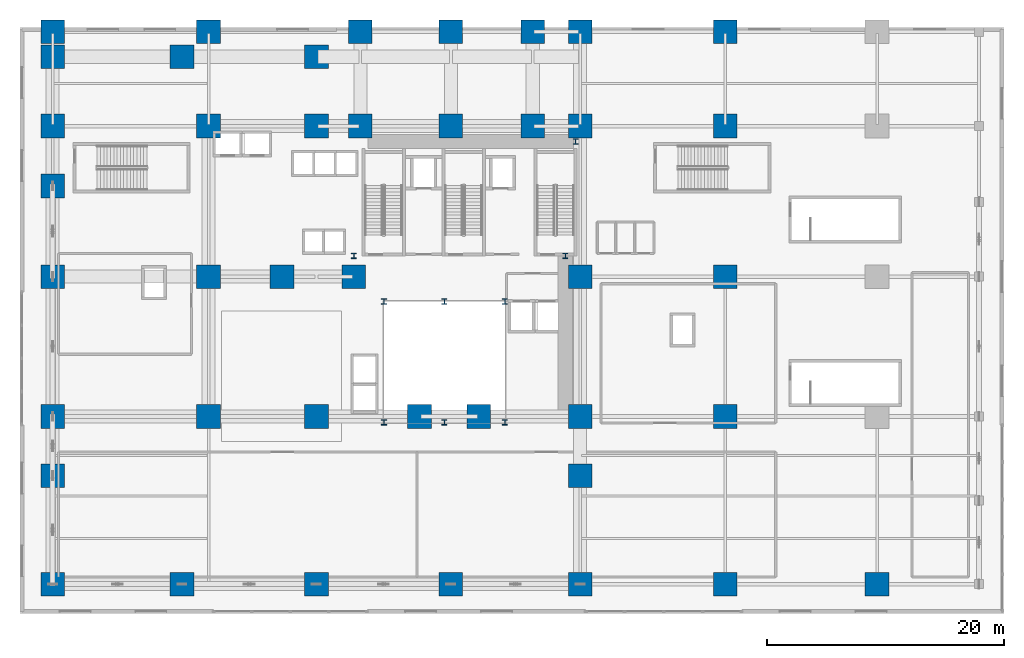
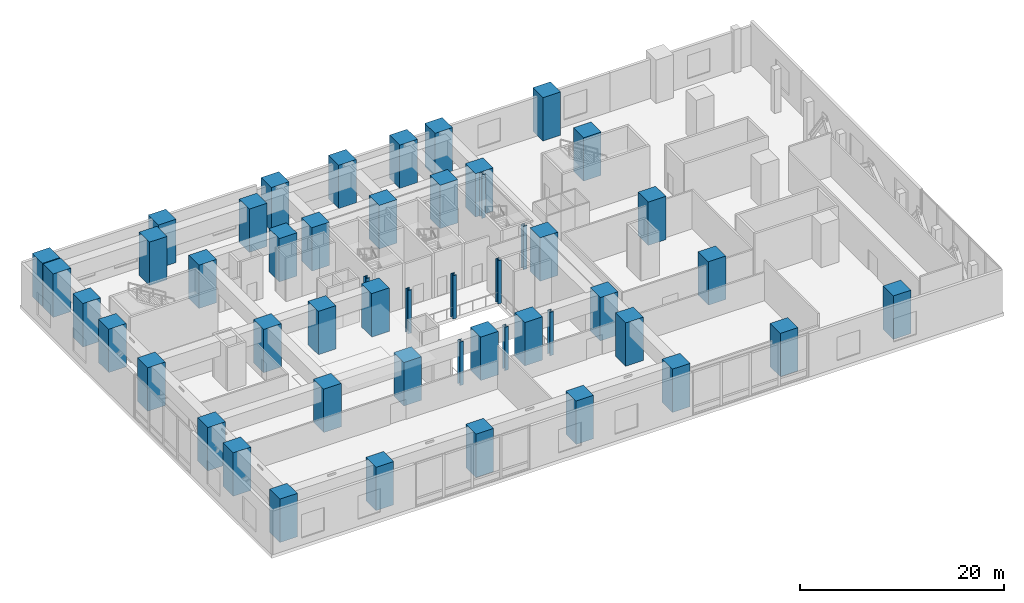
# One storey, part 1 of 17: 50 columns.
"""IFC4 building model written with IfcOpenShell, lengths in metres."""

from ifc_helpers import new_model, si_unit, direction, frame, origin, origin_2d, place, context, subcontext, project, spatial, rectangle, i_section, extrude, source, transform, mapped, material, material_profile, profile_set, type_object, element, save


model = new_model("IFC4")

# Units and contexts
model_context = context("Model", 3, precision=1e-05, world=origin(), true_north=direction((0.0, 1.0)))
body_context = subcontext(model_context, "Body", "Model", "MODEL_VIEW")
ifc_project = project(units=[si_unit("LENGTHUNIT", "METRE"), si_unit("AREAUNIT", "SQUARE_METRE"), si_unit("VOLUMEUNIT", "CUBIC_METRE"), si_unit("PLANEANGLEUNIT", "RADIAN"), si_unit("MASSUNIT", "GRAM", prefix="KILO")], contexts=[model_context])

# Site, building, storey
site_placement = place(None, origin())
site = spatial("IfcSite", under=ifc_project, at=site_placement, CompositionType="ELEMENT")
building_placement = place(site_placement, origin())
building = spatial("IfcBuilding", under=site, at=building_placement, Name="Vardaveli Station Tower", CompositionType="ELEMENT")
storey_placement = place(building_placement, frame((0.0, 0.0, 11.39990234375)))
storey = spatial("IfcBuildingStorey", under=building, at=storey_placement, Name="L03", CompositionType="ELEMENT", Elevation=11.39990234375)

# Columns
ifc_material_1 = material(Name="Structural steel S460M", Category="steel")
ifc_material_profile_1 = material_profile(ifc_material_1, i_section(OverallWidth=0.427978515625, OverallDepth=0.48095703125, WebThickness=0.03955078125, FlangeThickness=0.0634765625, FilletRadius=0.014892578125, at=origin_2d()), Name="HD 400x677")
ifc_profile_set_1 = profile_set([ifc_material_profile_1], Name="Structural steel S460M")
column_type_1 = type_object("IfcColumnType", Name="COL-HD677", PredefinedType="COLUMN", material=ifc_profile_set_1)
shared_shape_1 = source(origin(), body_context, "Body", "SweptSolid", [
    extrude(i_section(OverallWidth=0.427978515625, OverallDepth=0.48095703125, WebThickness=0.03955078125, FlangeThickness=0.0634765625, FilletRadius=0.014892578125, at=origin_2d()), origin(), (0.0, 0.0, 1.0), 5.2001953125),
])
for number, where, z_axis, x_axis, name in (
    (1, (31.199951171875, 16.60009765625, 0.0), (0.0, 0.0, 1.0), (1.0, 0.0, 0.0), "COL-L03-AC1"),
    (2, (36.300048828125, 16.60009765625, 0.0), (0.0, 0.0, 1.0), (1.0, 0.0, 0.0), "COL-L03-AC2"),
    (3, (41.39990234375, 16.60009765625, 0.0), (0.0, 0.0, 1.0), (1.0, 0.0, 0.0), "COL-L03-AC3"),
    (4, (41.39990234375, 26.800048828125, 0.0), (0.0, 0.0, 1.0), (1.0, 0.0, 0.0), "COL-L03-AC4"),
    (5, (36.300048828125, 26.800048828125, 0.0), (0.0, 0.0, 1.0), (1.0, 0.0, 0.0), "COL-L03-AC5"),
    (6, (31.199951171875, 26.800048828125, 0.0), (0.0, 0.0, 1.0), (1.0, 0.0, 0.0), "COL-L03-AC6"),
    (7, (28.64990234375, 30.64990234375, 0.0), (0.0, 0.0, 1.0), (1.0, 0.0, 0.0), "COL-L03-CC1"),
    (8, (46.5, 30.64990234375, 0.0), (0.0, 0.0, 1.0), (1.0, 0.0, 0.0), "COL-L03-CC2"),
    (9, (47.3701171875, 40.300048828125, 0.0), (0.0, 0.0, 1.0), (1.0, 0.0, 0.0), "COL-L03-CC3"),
):
    element("IfcColumn", number, at=place(storey_placement, frame(where, z_axis=z_axis, x_axis=x_axis)), inside=storey, type_object=column_type_1, Name=name, PredefinedType="COLUMN", context=body_context, shape_type="MappedRepresentation", body=[
        mapped(shared_shape_1, transform((0.0, 0.0, 0.0), scale=1.0)),
    ])
ifc_material_2 = material(Name="Concrete C70/85", Category="concrete")
ifc_material_profile_2 = material_profile(ifc_material_2, rectangle(XDim=2.0, YDim=2.0, at=origin_2d()), Name="SC 2000x2000")
ifc_profile_set_2 = profile_set([ifc_material_profile_2], Name="Concrete C70/85")
column_type_2 = type_object("IfcColumnType", Name="COL-SC-2000", PredefinedType="COLUMN", material=ifc_profile_set_2)
shared_shape_2 = source(origin(), body_context, "Body", "SweptSolid", [
    extrude(rectangle(XDim=2.0, YDim=2.0, at=origin_2d()), origin(), (0.0, 0.0, 1.0), 5.2001953125),
])
for number, where, z_axis, x_axis, name in (
    (10, (3.25, 2.949951171875, 0.0), (0.0, 0.0, 1.0), (1.0, 0.0, 0.0), "COL-L03-SC01"),
    (11, (14.159912109375, 2.949951171875, 0.0), (0.0, 0.0, 1.0), (1.0, 0.0, 0.0), "COL-L03-SC02"),
    (12, (25.5, 2.949951171875, 0.0), (0.0, 0.0, 1.0), (1.0, 0.0, 0.0), "COL-L03-SC03"),
    (13, (36.840087890625, 2.949951171875, 0.0), (0.0, 0.0, 1.0), (1.0, 0.0, 0.0), "COL-L03-SC04"),
    (14, (47.75, 2.949951171875, 0.0), (0.0, 0.0, 1.0), (1.0, 0.0, 0.0), "COL-L03-SC05"),
    (15, (60.0, 2.949951171875, 0.0), (0.0, 0.0, 1.0), (1.0, 0.0, 0.0), "COL-L03-SC06"),
    (16, (72.800048828125, 2.949951171875, 0.0), (0.0, 0.0, 1.0), (1.0, 0.0, 0.0), "COL-L03-SC07"),
    (17, (3.25, 12.10009765625, 0.0), (0.0, 0.0, 1.0), (1.0, 0.0, 0.0), "COL-L03-SC08"),
    (18, (47.75, 12.10009765625, 0.0), (0.0, 0.0, 1.0), (1.0, 0.0, 0.0), "COL-L03-SC09"),
    (19, (3.25, 17.10009765625, 0.0), (0.0, 0.0, 1.0), (1.0, 0.0, 0.0), "COL-L03-SC10"),
    (20, (16.39990234375, 17.10009765625, 0.0), (0.0, 0.0, 1.0), (1.0, 0.0, 0.0), "COL-L03-SC11"),
    (21, (25.5, 17.10009765625, 0.0), (0.0, 0.0, 1.0), (1.0, 0.0, 0.0), "COL-L03-SC12"),
    (22, (34.199951171875, 17.10009765625, 0.0), (0.0, 0.0, 1.0), (1.0, 0.0, 0.0), "COL-L03-SC12B"),
    (23, (39.199951171875, 17.10009765625, 0.0), (0.0, 0.0, 1.0), (1.0, 0.0, 0.0), "COL-L03-SC12C"),
    (24, (47.75, 17.10009765625, 0.0), (0.0, 0.0, 1.0), (1.0, 0.0, 0.0), "COL-L03-SC13"),
    (25, (60.0, 17.10009765625, 0.0), (0.0, 0.0, 1.0), (1.0, 0.0, 0.0), "COL-L03-SC14"),
    (26, (3.25, 28.89990234375, 0.0), (0.0, 0.0, 1.0), (1.0, 0.0, 0.0), "COL-L03-SC16"),
    (27, (16.39990234375, 28.89990234375, 0.0), (0.0, 0.0, 1.0), (1.0, 0.0, 0.0), "COL-L03-SC17"),
    (28, (22.60009765625, 28.89990234375, 0.0), (0.0, 0.0, 1.0), (1.0, 0.0, 0.0), "COL-L03-SC17B"),
    (29, (28.64990234375, 28.89990234375, 0.0), (0.0, 0.0, 1.0), (1.0, 0.0, 0.0), "COL-L03-SC17C"),
    (30, (47.75, 28.89990234375, 0.0), (0.0, 0.0, 1.0), (1.0, 0.0, 0.0), "COL-L03-SC18"),
    (31, (60.0, 28.89990234375, 0.0), (0.0, 0.0, 1.0), (1.0, 0.0, 0.0), "COL-L03-SC18B"),
    (32, (3.25, 36.5400390625, 0.0), (0.0, 0.0, 1.0), (1.0, 0.0, 0.0), "COL-L03-SC20"),
    (33, (3.25, 41.60009765625, 0.0), (0.0, 0.0, 1.0), (1.0, 0.0, 0.0), "COL-L03-SC20B"),
    (34, (3.25, 49.550048828125, 0.0), (0.0, 0.0, 1.0), (1.0, 0.0, 0.0), "COL-L03-SC20C"),
    (35, (16.39990234375, 41.60009765625, 0.0), (0.0, 0.0, 1.0), (1.0, 0.0, 0.0), "COL-L03-SC21"),
    (36, (25.5, 41.60009765625, 0.0), (0.0, 0.0, 1.0), (1.0, 0.0, 0.0), "COL-L03-SC21B"),
    (37, (29.199951171875, 41.60009765625, 0.0), (0.0, 0.0, 1.0), (1.0, 0.0, 0.0), "COL-L03-SC22"),
    (38, (36.840087890625, 41.60009765625, 0.0), (0.0, 0.0, 1.0), (1.0, 0.0, 0.0), "COL-L03-SC23"),
    (39, (43.75, 41.60009765625, 0.0), (0.0, 0.0, 1.0), (1.0, 0.0, 0.0), "COL-L03-SC24"),
    (40, (47.75, 41.60009765625, 0.0), (0.0, 0.0, 1.0), (1.0, 0.0, 0.0), "COL-L03-SC25"),
    (41, (60.0, 41.60009765625, 0.0), (0.0, 0.0, 1.0), (1.0, 0.0, 0.0), "COL-L03-SC26"),
    (42, (3.25, 47.449951171875, 0.0), (0.0, 0.0, 1.0), (1.0, 0.0, 0.0), "COL-L03-SC28"),
    (43, (14.159912109375, 47.449951171875, 0.0), (0.0, 0.0, 1.0), (1.0, 0.0, 0.0), "COL-L03-SC29"),
    (44, (25.5, 47.449951171875, 0.0), (0.0, 0.0, 1.0), (1.0, 0.0, 0.0), "COL-L03-SC30"),
    (45, (16.39990234375, 49.550048828125, 0.0), (0.0, 0.0, 1.0), (1.0, 0.0, 0.0), "COL-L03-SC30B"),
    (46, (29.199951171875, 49.550048828125, 0.0), (0.0, 0.0, 1.0), (1.0, 0.0, 0.0), "COL-L03-SC31"),
    (47, (36.840087890625, 49.550048828125, 0.0), (0.0, 0.0, 1.0), (1.0, 0.0, 0.0), "COL-L03-SC32"),
    (48, (43.75, 49.550048828125, 0.0), (0.0, 0.0, 1.0), (1.0, 0.0, 0.0), "COL-L03-SC33"),
    (49, (47.75, 49.550048828125, 0.0), (0.0, 0.0, 1.0), (1.0, 0.0, 0.0), "COL-L03-SC34"),
    (50, (60.0, 49.550048828125, 0.0), (0.0, 0.0, 1.0), (1.0, 0.0, 0.0), "COL-L03-SC35"),
):
    element("IfcColumn", number, at=place(storey_placement, frame(where, z_axis=z_axis, x_axis=x_axis)), inside=storey, type_object=column_type_2, Name=name, PredefinedType="COLUMN", context=body_context, shape_type="MappedRepresentation", body=[
        mapped(shared_shape_2, transform((0.0, 0.0, 0.0), scale=1.0)),
    ])

save(model, "model.ifc")
